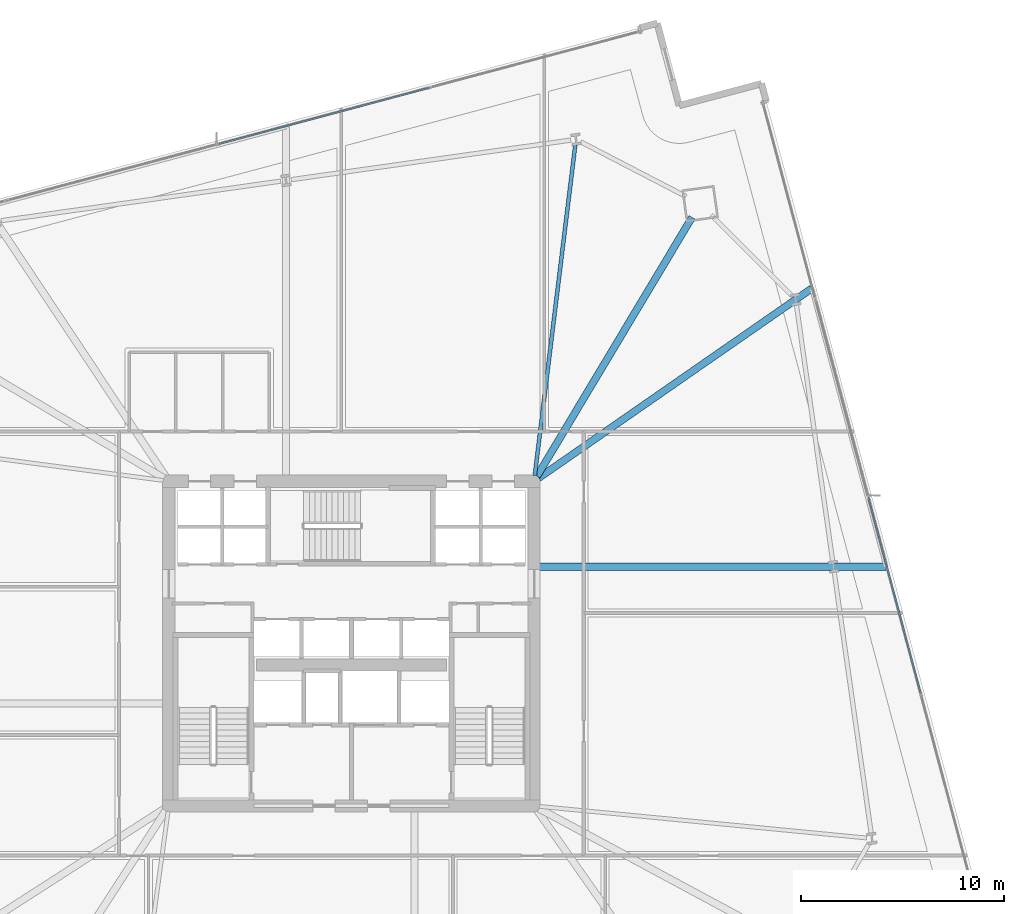
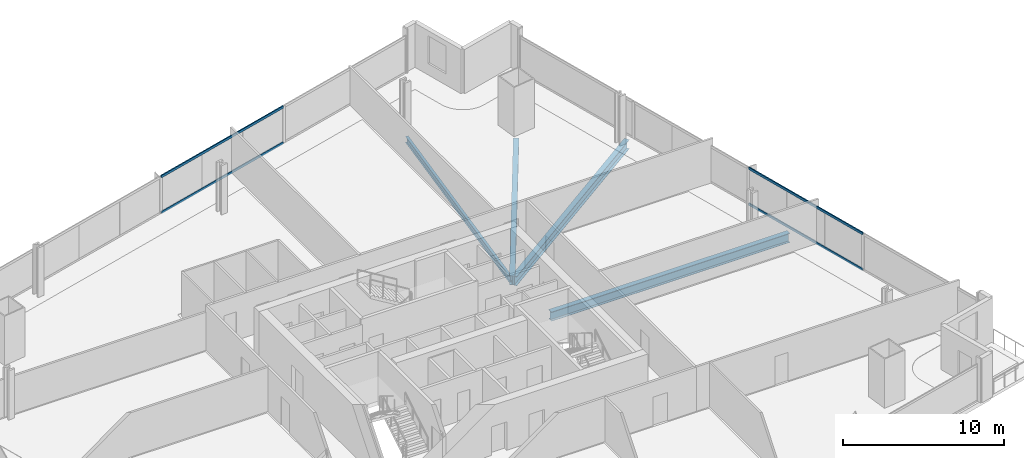
# One storey, part 19 of 33: 4 beams, 4 members, 2 elements without a shape of their own.
"""IFC4 building model written with IfcOpenShell, lengths in metres."""

from ifc_helpers import new_model, si_unit, direction, frame, origin, origin_2d, place, context, subcontext, project, spatial, hollow_rectangle, i_section, extrude, material, material_profile, profile_set, type_object, element, aggregate, save


model = new_model("IFC4")

# Units and contexts
model_context = context("Model", 3, precision=1e-05, world=origin(), true_north=direction((0.0, 1.0)))
body_context = subcontext(model_context, "Body", "Model", "MODEL_VIEW")
ifc_project = project(units=[si_unit("LENGTHUNIT", "METRE"), si_unit("AREAUNIT", "SQUARE_METRE"), si_unit("VOLUMEUNIT", "CUBIC_METRE"), si_unit("PLANEANGLEUNIT", "RADIAN"), si_unit("MASSUNIT", "GRAM", prefix="KILO")], contexts=[model_context])

# Site, building, storey
site_placement = place(None, origin())
site = spatial("IfcSite", under=ifc_project, at=site_placement, CompositionType="ELEMENT")
building_placement = place(site_placement, origin())
building = spatial("IfcBuilding", under=site, at=building_placement, Name="Haldenkirk Collegiate Tower", CompositionType="ELEMENT")
storey_placement = place(building_placement, frame((0.0, 0.0, 77.699951171875)))
storey = spatial("IfcBuildingStorey", under=building, at=storey_placement, Name="L18", CompositionType="ELEMENT", Elevation=77.699951171875)

# Beams
ifc_material_1 = material(Name="Steel ASTM A992 Grade 50", Category="steel")
ifc_material_profile_1 = material_profile(ifc_material_1, i_section(OverallWidth=0.35498046875, OverallDepth=0.696044921875, WebThickness=0.015380859375, FlangeThickness=0.02490234375, at=origin_2d()), Name="W27X146")
ifc_profile_set_1 = profile_set([ifc_material_profile_1], Name="Steel ASTM A992 Grade 50")
beam_type_1 = type_object("IfcBeamType", Name="BM-GIRDER-W27X146", PredefinedType="BEAM", material=ifc_profile_set_1)
beam_1_placement = place(storey_placement, frame((52.783935546875, 47.000732421875, -0.657958984375), z_axis=(-0.513696499257, -0.857971973115, 0.0), x_axis=(0.857971973115, -0.513696499257, 0.0)))
element("IfcBeam", 1, at=beam_1_placement, inside=storey, type_object=beam_type_1, Name="L18 primary floor girder 03", PredefinedType="BEAM", context=body_context, shape_type="SweptSolid", body=[
    extrude(i_section(OverallWidth=0.35498046875, OverallDepth=0.696044921875, WebThickness=0.015380859375, FlangeThickness=0.02490234375, at=origin_2d()), origin(), (0.0, 0.0, 1.0), 14.872802734375),
])
beam_2_placement = place(storey_placement, frame((62.34423828125, 29.788818359375, -0.657958984375), z_axis=(-1.0, 0.0, 0.0), x_axis=(0.0, -1.0, 0.0)))
element("IfcBeam", 2, at=beam_2_placement, inside=storey, type_object=beam_type_1, Name="L18 primary floor girder 09", PredefinedType="BEAM", context=body_context, shape_type="SweptSolid", body=[
    extrude(i_section(OverallWidth=0.35498046875, OverallDepth=0.696044921875, WebThickness=0.015380859375, FlangeThickness=0.02490234375, at=origin_2d()), origin(), (0.0, 0.0, 1.0), 17.064208984375),
])
beam_3_placement = place(storey_placement, frame((58.68359375, 43.498046875, -0.657958984375), z_axis=(-0.821496050683, -0.570214204236, 0.0), x_axis=(0.570214204236, -0.821496050683, 0.0)))
element("IfcBeam", 3, at=beam_3_placement, inside=storey, type_object=beam_type_1, Name="L18 primary floor girder 10", PredefinedType="BEAM", context=body_context, shape_type="SweptSolid", body=[
    extrude(i_section(OverallWidth=0.35498046875, OverallDepth=0.696044921875, WebThickness=0.015380859375, FlangeThickness=0.02490234375, at=origin_2d()), origin(), (0.0, 0.0, 1.0), 16.376953125),
])
ifc_material_profile_2 = material_profile(ifc_material_1, i_section(OverallWidth=0.19189453125, OverallDepth=0.462890625, WebThickness=0.010498046875, FlangeThickness=0.017578125, at=origin_2d()), Name="W18X60")
ifc_profile_set_2 = profile_set([ifc_material_profile_2], Name="Steel ASTM A992 Grade 50")
beam_type_2 = type_object("IfcBeamType", Name="BM-JOIST-W18X60", PredefinedType="JOIST", material=ifc_profile_set_2)
beam_4_placement = place(storey_placement, frame((47.03369140625, 50.581787109375, -0.54150390625), z_axis=(-0.121727667568, -0.992563536983, 0.0), x_axis=(0.992563536983, -0.121727667568, 0.0)))
element("IfcBeam", 4, at=beam_4_placement, inside=storey, type_object=beam_type_2, Name="L18 composite floor joist 11", PredefinedType="JOIST", context=body_context, shape_type="SweptSolid", body=[
    extrude(i_section(OverallWidth=0.19189453125, OverallDepth=0.462890625, WebThickness=0.010498046875, FlangeThickness=0.017578125, at=origin_2d()), origin(), (0.0, 0.0, 1.0), 16.426025390625),
])

# Curtain wall, members
ifc_material_2 = material(Name="Anodised architectural bronze aluminium", Category="aluminium")
curtain_wall_type = type_object("IfcCurtainWallType", Name="CW-SYS1-CONVEX-LOW", PredefinedType="USERDEFINED", material=ifc_material_2)
curtain_wall_1_placement = place(storey_placement, origin())
curtain_wall_1 = element("IfcCurtainWall", 5, at=curtain_wall_1_placement, inside=storey, type_object=curtain_wall_type, Name="L18 Lower tower convex bronze-framed unitised curtain wall", ObjectType="UNITISED CURTAIN WALL", PredefinedType="USERDEFINED")
ifc_material_profile_3 = material_profile(ifc_material_2, hollow_rectangle(XDim=0.080078125, YDim=0.179931640625, WallThickness=0.0048828125, at=origin_2d()), Name="CW-TRN-1A")
ifc_profile_set_3 = profile_set([ifc_material_profile_3], Name="Anodised architectural bronze aluminium")
member_type = type_object("IfcMemberType", Name="CW-TRN-1A", PredefinedType="USERDEFINED", material=ifc_profile_set_3)
member_1_placement = place(storey_placement, frame((61.47802734375, 33.1884765625, 0.0400390625), z_axis=(0.257957764534, -0.966156194265, 0.0), x_axis=(0.966156194265, 0.257957764534, 0.0)))
member_1 = element("IfcMember", 6, at=member_1_placement, type_object=member_type, Name="CW-1A transom 3.1", ObjectType="TRANSOM", PredefinedType="USERDEFINED", context=body_context, shape_type="SweptSolid", body=[
    extrude(hollow_rectangle(XDim=0.080078125, YDim=0.179931640625, WallThickness=0.0048828125, at=origin_2d()), origin(), (0.0, 0.0, 1.0), 9.98876953125),
])
member_2_placement = place(storey_placement, frame((61.47802734375, 33.1884765625, 2.7509765625), z_axis=(0.257957764534, -0.966156194265, 0.0), x_axis=(0.966156194265, 0.257957764534, 0.0)))
member_2 = element("IfcMember", 7, at=member_2_placement, type_object=member_type, Name="CW-1A transom 3.2", ObjectType="TRANSOM", PredefinedType="USERDEFINED", context=body_context, shape_type="SweptSolid", body=[
    extrude(hollow_rectangle(XDim=0.080078125, YDim=0.179931640625, WallThickness=0.0048828125, at=origin_2d()), origin(), (0.0, 0.0, 1.0), 9.98876953125),
])
aggregate(curtain_wall_1, [member_1, member_2])

curtain_wall_2_placement = place(storey_placement, origin())
curtain_wall_2 = element("IfcCurtainWall", 8, at=curtain_wall_2_placement, inside=storey, type_object=curtain_wall_type, Name="L18 Lower tower convex bronze-framed unitised curtain wall", ObjectType="UNITISED CURTAIN WALL", PredefinedType="USERDEFINED")
member_3_placement = place(storey_placement, frame((29.468017578125, 50.6181640625, 0.0400390625), z_axis=(0.966151914784, 0.257973792387, 0.0), x_axis=(-0.257973792387, 0.966151914784, 0.0)))
member_3 = element("IfcMember", 9, at=member_3_placement, type_object=member_type, Name="CW-1A transom 3.1", ObjectType="TRANSOM", PredefinedType="USERDEFINED", context=body_context, shape_type="SweptSolid", body=[
    extrude(hollow_rectangle(XDim=0.080078125, YDim=0.179931640625, WallThickness=0.0048828125, at=origin_2d()), origin(), (0.0, 0.0, 1.0), 10.695068359375),
])
member_4_placement = place(storey_placement, frame((29.468017578125, 50.6181640625, 2.7509765625), z_axis=(0.966151914784, 0.257973792387, 0.0), x_axis=(-0.257973792387, 0.966151914784, 0.0)))
member_4 = element("IfcMember", 10, at=member_4_placement, type_object=member_type, Name="CW-1A transom 3.2", ObjectType="TRANSOM", PredefinedType="USERDEFINED", context=body_context, shape_type="SweptSolid", body=[
    extrude(hollow_rectangle(XDim=0.080078125, YDim=0.179931640625, WallThickness=0.0048828125, at=origin_2d()), origin(), (0.0, 0.0, 1.0), 10.695068359375),
])
aggregate(curtain_wall_2, [member_3, member_4])

save(model, "model.ifc")
